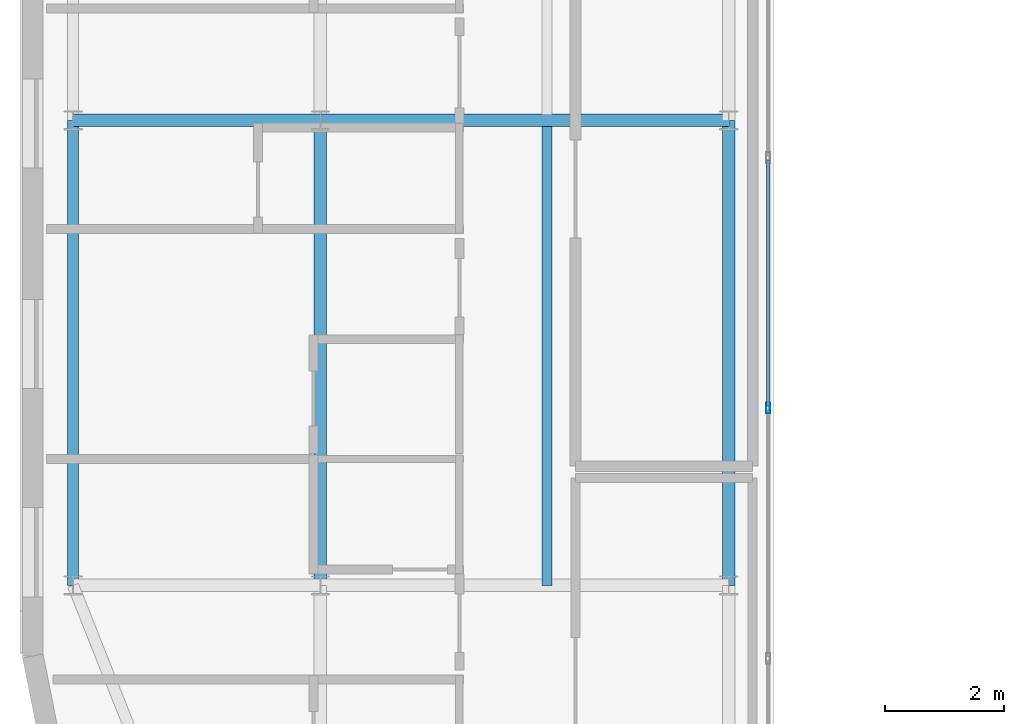
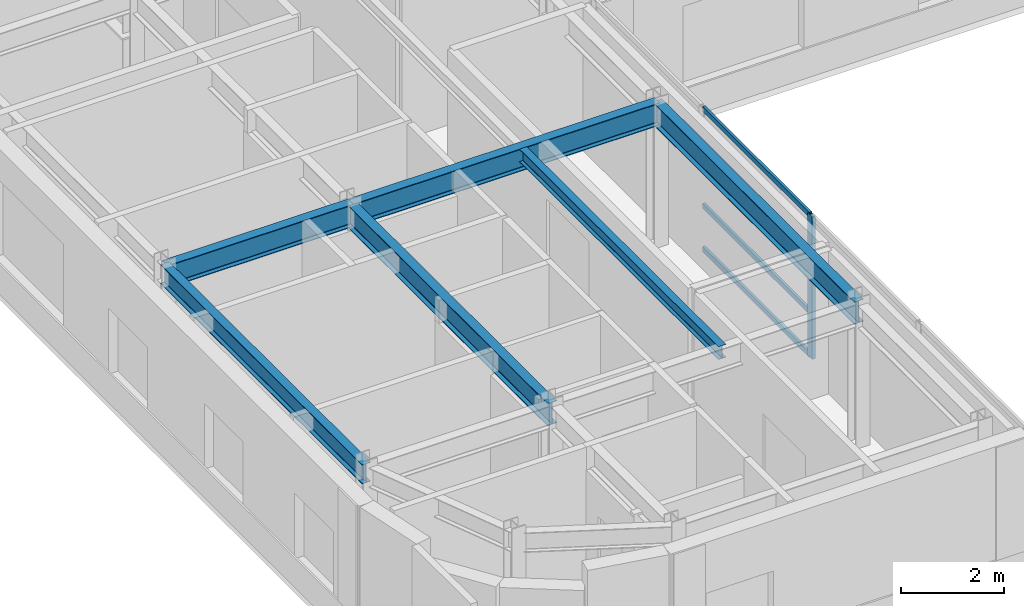
# One storey, part 5 of 21: 6 beams, 4 members, 1 element without a shape of its own.
"""IFC4 building model written with IfcOpenShell, lengths in metres."""

from ifc_helpers import new_model, si_unit, direction, frame, origin, origin_2d, place, context, subcontext, project, spatial, hollow_rectangle, i_section, extrude, source, transform, mapped, material, layer, layer_set, material_profile, profile_set, type_object, type_shapes, element, aggregate, save


model = new_model("IFC4")

# Units and contexts
model_context = context("Model", 3, precision=1e-05, world=origin(), true_north=direction((0.0, 1.0)))
body_context = subcontext(model_context, "Body", "Model", "MODEL_VIEW")
ifc_project = project(units=[si_unit("LENGTHUNIT", "METRE"), si_unit("AREAUNIT", "SQUARE_METRE"), si_unit("VOLUMEUNIT", "CUBIC_METRE"), si_unit("PLANEANGLEUNIT", "RADIAN"), si_unit("MASSUNIT", "GRAM", prefix="KILO")], contexts=[model_context])

# Site, building, storey
site_placement = place(None, origin())
site = spatial("IfcSite", under=ifc_project, at=site_placement, CompositionType="ELEMENT")
building_placement = place(site_placement, origin())
building = spatial("IfcBuilding", under=site, at=building_placement, Name="Tolvann Quenvar Hotel", CompositionType="ELEMENT")
storey_placement = place(building_placement, frame((0.0, 0.0, 262.949951171875)))
storey = spatial("IfcBuildingStorey", under=building, at=storey_placement, Name="L70", CompositionType="ELEMENT", Elevation=262.949951171875)

# Beams
ifc_material_1 = material(Name="Steel Grade 350", Category="steel")
ifc_material_profile_1 = material_profile(ifc_material_1, i_section(OverallWidth=0.208984375, OverallDepth=0.532958984375, WebThickness=0.01025390625, FlangeThickness=0.015625, FilletRadius=0.013916015625, at=origin_2d()), Name="530UB92")
ifc_profile_set_1 = profile_set([ifc_material_profile_1], Name="Steel Grade 350")
beam_type_1 = type_object("IfcBeamType", Name="BM_GIRD_530UB92", PredefinedType="BEAM", material=ifc_profile_set_1)
shared_shape_1 = source(origin(), body_context, "Body", "SweptSolid", [
    extrude(i_section(OverallWidth=0.208984375, OverallDepth=0.532958984375, WebThickness=0.01025390625, FlangeThickness=0.015625, FilletRadius=0.013916015625, at=origin_2d()), origin(), (0.0, 0.0, 1.0), 7.800048828125),
])
for number, where, z_axis, x_axis, name in (
    (1, (7.60009765625, 8.199951171875, 3.103515625), (0.0, 1.0, 0.0), (-1.0, 0.0, 0.0), "BM-L70-NS-C3-C4"),
    (2, (14.449951171875, 8.199951171875, 3.103515625), (0.0, 1.0, 0.0), (-1.0, 0.0, 0.0), "BM-L70-NS-D3-D4"),
):
    element("IfcBeam", number, at=place(storey_placement, frame(where, z_axis=z_axis, x_axis=x_axis)), inside=storey, type_object=beam_type_1, Name=name, PredefinedType="BEAM", context=body_context, shape_type="MappedRepresentation", body=[
        mapped(shared_shape_1, transform((0.0, 0.0, 0.0), x_axis=(1.0, 0.0, 0.0), y_axis=(0.0, 1.0, 0.0), z_axis=(0.0, 0.0, 1.0), scale=1.0)),
    ])
ifc_material_profile_2 = material_profile(ifc_material_1, i_section(OverallWidth=0.19091796875, OverallDepth=0.4599609375, WebThickness=0.010009765625, FlangeThickness=0.01611328125, FilletRadius=0.011474609375, at=origin_2d()), Name="460UB82")
ifc_profile_set_2 = profile_set([ifc_material_profile_2], Name="Steel Grade 350")
beam_type_2 = type_object("IfcBeamType", Name="BM_SPAND_460UB82", PredefinedType="SPANDREL", material=ifc_profile_set_2)
shared_shape_2 = source(origin(), body_context, "Body", "SweptSolid", [
    extrude(i_section(OverallWidth=0.19091796875, OverallDepth=0.4599609375, WebThickness=0.010009765625, FlangeThickness=0.01611328125, FilletRadius=0.011474609375, at=origin_2d()), origin(), (0.0, 0.0, 1.0), 7.800048828125),
])
type_shapes(beam_type_2, [shared_shape_2])
beam_1_placement = place(storey_placement, frame((3.449951171875, 8.199951171875, 3.14013671875), z_axis=(0.0, 1.0, 0.0), x_axis=(-1.0, 0.0, 0.0)))
element("IfcBeam", 3, at=beam_1_placement, inside=storey, type_object=beam_type_2, Name="BM-L70-NS-B3-B4", PredefinedType="SPANDREL", context=body_context, shape_type="MappedRepresentation", body=[
    mapped(shared_shape_2, transform((0.0, 0.0, 0.0), x_axis=(1.0, 0.0, 0.0), y_axis=(0.0, 1.0, 0.0), z_axis=(0.0, 0.0, 1.0), scale=1.0)),
])
shared_shape_3 = source(origin(), body_context, "Body", "SweptSolid", [
    extrude(i_section(OverallWidth=0.208984375, OverallDepth=0.532958984375, WebThickness=0.01025390625, FlangeThickness=0.015625, FilletRadius=0.013916015625, at=origin_2d()), origin(), (0.0, 0.0, 1.0), 4.150146484375),
])
beam_2_placement = place(storey_placement, frame((3.449951171875, 16.0, 3.103515625), z_axis=(1.0, 0.0, 0.0), x_axis=(0.0, 1.0, 0.0)))
element("IfcBeam", 4, at=beam_2_placement, inside=storey, type_object=beam_type_1, Name="BM-L70-EW-4-B4-C4", PredefinedType="BEAM", context=body_context, shape_type="MappedRepresentation", body=[
    mapped(shared_shape_3, transform((0.0, 0.0, 0.0), x_axis=(1.0, 0.0, 0.0), y_axis=(0.0, 1.0, 0.0), z_axis=(0.0, 0.0, 1.0), scale=1.0)),
])
shared_shape_4 = source(origin(), body_context, "Body", "SweptSolid", [
    extrude(i_section(OverallWidth=0.208984375, OverallDepth=0.532958984375, WebThickness=0.01025390625, FlangeThickness=0.015625, FilletRadius=0.013916015625, at=origin_2d()), origin(), (0.0, 0.0, 1.0), 6.849853515625),
])
type_shapes(beam_type_1, [shared_shape_1, shared_shape_3, shared_shape_4])
beam_3_placement = place(storey_placement, frame((7.60009765625, 16.0, 3.103515625), z_axis=(1.0, 0.0, 0.0), x_axis=(0.0, 1.0, 0.0)))
element("IfcBeam", 5, at=beam_3_placement, inside=storey, type_object=beam_type_1, Name="BM-L70-EW-4-C4-D4", PredefinedType="BEAM", context=body_context, shape_type="MappedRepresentation", body=[
    mapped(shared_shape_4, transform((0.0, 0.0, 0.0), x_axis=(1.0, 0.0, 0.0), y_axis=(0.0, 1.0, 0.0), z_axis=(0.0, 0.0, 1.0), scale=1.0)),
])
ifc_material_profile_3 = material_profile(ifc_material_1, i_section(OverallWidth=0.166015625, OverallDepth=0.306884765625, WebThickness=0.006591796875, FlangeThickness=0.01171875, FilletRadius=0.011474609375, at=origin_2d()), Name="310UB46")
ifc_profile_set_3 = profile_set([ifc_material_profile_3], Name="Steel Grade 350")
beam_type_3 = type_object("IfcBeamType", Name="BM_JOIST_310UB46", PredefinedType="JOIST", material=ifc_profile_set_3)
shared_shape_5 = source(origin(), body_context, "Body", "SweptSolid", [
    extrude(i_section(OverallWidth=0.166015625, OverallDepth=0.306884765625, WebThickness=0.006591796875, FlangeThickness=0.01171875, FilletRadius=0.011474609375, at=origin_2d()), origin(), (0.0, 0.0, 1.0), 7.70166015625),
])
type_shapes(beam_type_3, [shared_shape_5])
beam_4_placement = place(storey_placement, frame((11.39990234375, 8.199951171875, 3.216552734375), z_axis=(0.0, 1.0, 0.0), x_axis=(-1.0, 0.0, 0.0)))
element("IfcBeam", 6, at=beam_4_placement, inside=storey, type_object=beam_type_3, Name="BJ-L70-114-82", PredefinedType="JOIST", context=body_context, shape_type="MappedRepresentation", body=[
    mapped(shared_shape_5, transform((0.0, 0.0, 0.0), x_axis=(1.0, 0.0, 0.0), y_axis=(0.0, 1.0, 0.0), z_axis=(0.0, 0.0, 1.0), scale=1.0)),
])

# Curtain wall, members
ifc_material_2 = material(Name="Thermally broken anodised architectural aluminium 6063-T6 and laminated low-E glass", Category="aluminium")
ifc_layer = layer(ifc_material_2, 0.179931640625)
ifc_layer_set = layer_set([ifc_layer], Name="Thermally broken anodised architectural aluminium 6063-T6 and laminated low-E glass")
curtain_wall_type = type_object("IfcCurtainWallType", Name="CW_SYS_PORTAL_05", PredefinedType="USERDEFINED", material=ifc_layer_set)
curtain_wall_placement = place(storey_placement, origin())
curtain_wall = element("IfcCurtainWall", 7, at=curtain_wall_placement, inside=storey, type_object=curtain_wall_type, Name="Curtain Wall CW-PORTAL-05 (CWR-L70-E05)", ObjectType="UNITISED CURTAIN WALL", PredefinedType="USERDEFINED")
ifc_material_3 = material(Name="Anodised architectural aluminium 6063-T6 framing", Category="aluminium")
ifc_material_profile_4 = material_profile(ifc_material_3, hollow_rectangle(XDim=0.070068359375, YDim=0.179931640625, WallThickness=0.00390625, at=origin_2d()), Name="180x70x4RHS")
ifc_profile_set_4 = profile_set([ifc_material_profile_4], Name="Anodised architectural aluminium 6063-T6 framing")
member_type_1 = type_object("IfcMemberType", Name="CW_MULL_180x70", PredefinedType="MULLION", material=ifc_profile_set_4)
shared_shape_6 = source(origin(), body_context, "Body", "SweptSolid", [
    extrude(hollow_rectangle(XDim=0.070068359375, YDim=0.179931640625, WallThickness=0.00390625, at=origin_2d()), origin(), (0.0, 0.0, 1.0), 3.3701171875),
])
type_shapes(member_type_1, [shared_shape_6])
member_1_placement = place(storey_placement, frame((15.110107421875, 11.175048828125, 0.0), z_axis=(0.0, 0.0, 1.0), x_axis=(-1.0, 0.0, 0.0)))
member_1 = element("IfcMember", 8, at=member_1_placement, type_object=member_type_1, Name="CW-PORTAL-05 mullion 3", PredefinedType="MULLION", context=body_context, shape_type="MappedRepresentation", body=[
    mapped(shared_shape_6, transform((0.0, 0.0, 0.0), x_axis=(1.0, 0.0, 0.0), y_axis=(0.0, 1.0, 0.0), z_axis=(0.0, 0.0, 1.0), scale=1.0)),
])
ifc_material_profile_5 = material_profile(ifc_material_3, hollow_rectangle(XDim=0.06005859375, YDim=0.1201171875, WallThickness=0.00341796875, at=origin_2d()), Name="120x60x3.5RHS")
ifc_profile_set_5 = profile_set([ifc_material_profile_5], Name="Anodised architectural aluminium 6063-T6 framing")
member_type_2 = type_object("IfcMemberType", Name="CW_TRAN_120x60", PredefinedType="USERDEFINED", material=ifc_profile_set_5)
shared_shape_7 = source(origin(), body_context, "Body", "SweptSolid", [
    extrude(hollow_rectangle(XDim=0.06005859375, YDim=0.1201171875, WallThickness=0.00341796875, at=origin_2d()), origin(), (0.0, 0.0, 1.0), 4.130126953125),
])
type_shapes(member_type_2, [shared_shape_7])
member_2_placement = place(storey_placement, frame((15.110107421875, 11.2099609375, 0.030029296875), z_axis=(0.0, 1.0, 0.0), x_axis=(-1.0, 0.0, 0.0)))
member_2 = element("IfcMember", 9, at=member_2_placement, type_object=member_type_2, Name="CW-PORTAL-05 transom 3.1", ObjectType="TRANSOM", PredefinedType="USERDEFINED", context=body_context, shape_type="MappedRepresentation", body=[
    mapped(shared_shape_7, transform((0.0, 0.0, 0.0), x_axis=(1.0, 0.0, 0.0), y_axis=(0.0, 1.0, 0.0), z_axis=(0.0, 0.0, 1.0), scale=1.0)),
])
member_3_placement = place(storey_placement, frame((15.110107421875, 11.2099609375, 1.050048828125), z_axis=(0.0, 1.0, 0.0), x_axis=(-1.0, 0.0, 0.0)))
member_3 = element("IfcMember", 10, at=member_3_placement, type_object=member_type_2, Name="CW-PORTAL-05 transom 3.2", ObjectType="TRANSOM", PredefinedType="USERDEFINED", context=body_context, shape_type="MappedRepresentation", body=[
    mapped(shared_shape_7, transform((0.0, 0.0, 0.0), x_axis=(1.0, 0.0, 0.0), y_axis=(0.0, 1.0, 0.0), z_axis=(0.0, 0.0, 1.0), scale=1.0)),
])
member_4_placement = place(storey_placement, frame((15.110107421875, 11.2099609375, 3.340087890625), z_axis=(0.0, 1.0, 0.0), x_axis=(-1.0, 0.0, 0.0)))
member_4 = element("IfcMember", 11, at=member_4_placement, type_object=member_type_2, Name="CW-PORTAL-05 transom 3.3", ObjectType="TRANSOM", PredefinedType="USERDEFINED", context=body_context, shape_type="MappedRepresentation", body=[
    mapped(shared_shape_7, transform((0.0, 0.0, 0.0), x_axis=(1.0, 0.0, 0.0), y_axis=(0.0, 1.0, 0.0), z_axis=(0.0, 0.0, 1.0), scale=1.0)),
])
aggregate(curtain_wall, [member_1, member_2, member_3, member_4])

save(model, "model.ifc")
